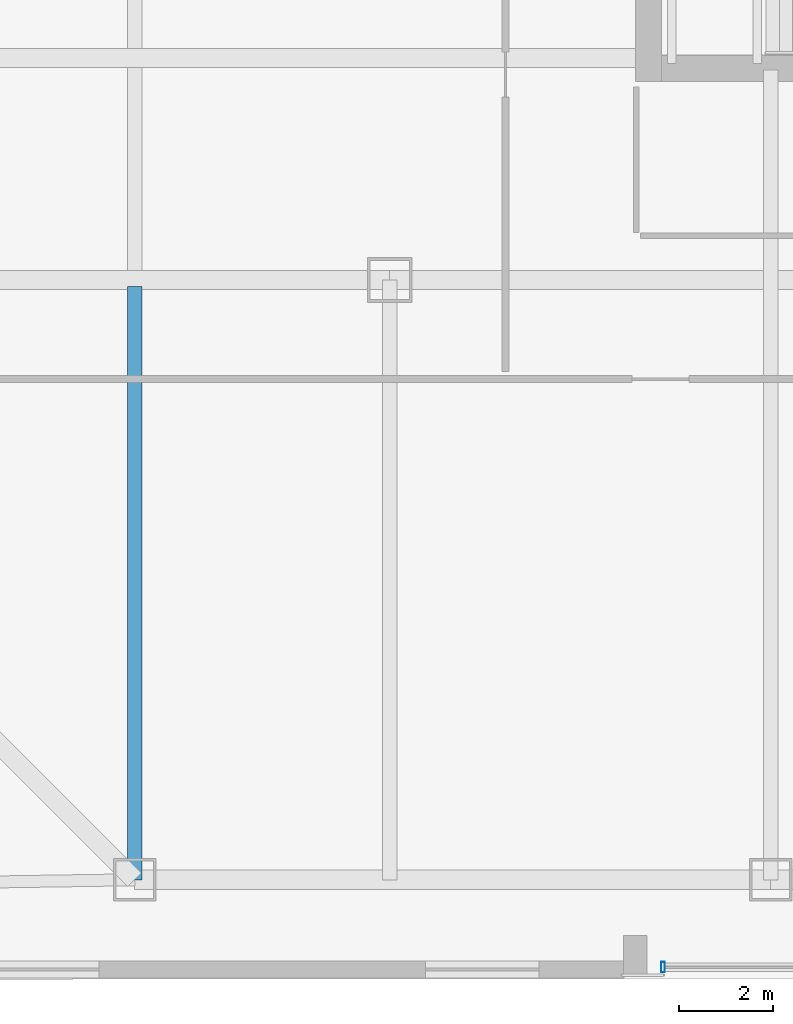
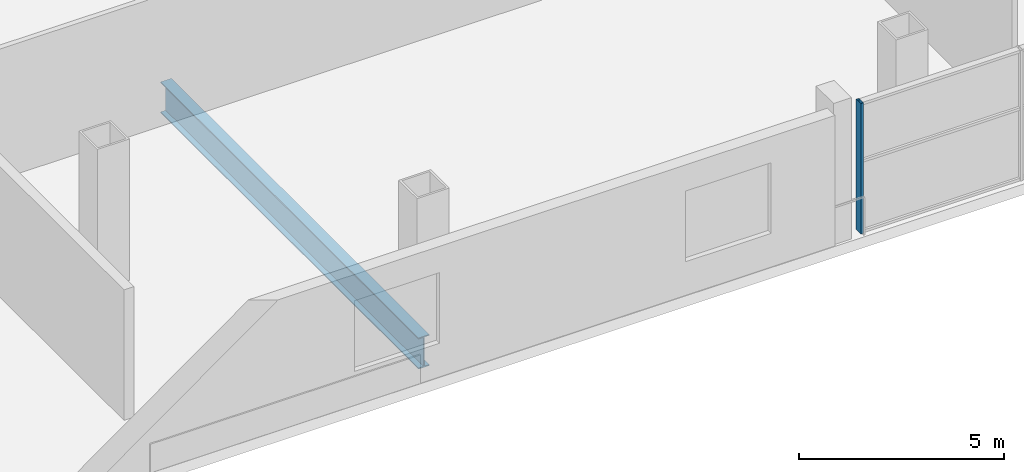
# One storey, part 2 of 21: 1 beam, 1 member, 1 element without a shape of its own.
"""IFC4 building model written with IfcOpenShell, lengths in metres."""

from ifc_helpers import new_model, si_unit, direction, frame, origin, origin_2d, place, context, subcontext, project, spatial, hollow_rectangle, i_section, extrude, material, layer, layer_set, material_profile, profile_set, type_object, element, aggregate, save


model = new_model("IFC4")

# Units and contexts
model_context = context("Model", 3, precision=1e-05, world=origin(), true_north=direction((0.0, 1.0)))
body_context = subcontext(model_context, "Body", "Model", "MODEL_VIEW")
ifc_project = project(units=[si_unit("LENGTHUNIT", "METRE"), si_unit("AREAUNIT", "SQUARE_METRE"), si_unit("VOLUMEUNIT", "CUBIC_METRE"), si_unit("PLANEANGLEUNIT", "RADIAN"), si_unit("MASSUNIT", "GRAM", prefix="KILO")], contexts=[model_context])

# Site, building, storey
site_placement = place(None, origin())
site = spatial("IfcSite", under=ifc_project, at=site_placement, CompositionType="ELEMENT")
building_placement = place(site_placement, origin())
building = spatial("IfcBuilding", under=site, at=building_placement, Name="Qhalaya Broadcast Tower", CompositionType="ELEMENT")
storey_placement = place(building_placement, frame((0.0, 0.0, 5.10009765625)))
storey = spatial("IfcBuildingStorey", under=building, at=storey_placement, Name="L01", CompositionType="ELEMENT", Elevation=5.10009765625)

# Beam
ifc_material_1 = material(Name="Structural Steel ASTM A992 Grade 50", Category="steel")
ifc_material_profile_1 = material_profile(ifc_material_1, i_section(OverallWidth=0.306884765625, OverallDepth=0.927001953125, WebThickness=0.019287109375, FlangeThickness=0.031982421875, at=origin_2d()), Name="W36X194")
ifc_profile_set_1 = profile_set([ifc_material_profile_1], Name="Structural Steel ASTM A992 Grade 50")
beam_type = type_object("IfcBeamType", Name="Heavy Studio Floor Beam B01", PredefinedType="BEAM", material=ifc_profile_set_1)
beam_placement = place(storey_placement, frame((-20.199951171875, -25.89990234375, -0.78369140625), z_axis=(0.0, 1.0, 0.0), x_axis=(-1.0, 0.0, 0.0)))
element("IfcBeam", 1, at=beam_placement, inside=storey, type_object=beam_type, Name="L01 B01 L01-JS-S-20.2", PredefinedType="BEAM", context=body_context, shape_type="SweptSolid", body=[
    extrude(i_section(OverallWidth=0.306884765625, OverallDepth=0.927001953125, WebThickness=0.019287109375, FlangeThickness=0.031982421875, at=origin_2d()), origin(), (0.0, 0.0, 1.0), 12.559814453125),
])

# Curtain wall, member
ifc_material_2 = material(Name="Solar-Control Low-E Triple Glazing", Category="glass")
ifc_layer = layer(ifc_material_2, 0.219970703125, Name="Solar-Control Low-E Triple Glazing")
ifc_layer_set = layer_set([ifc_layer], Name="Solar-Control Low-E Triple Glazing")
curtain_wall_type = type_object("IfcCurtainWallType", Name="Podium Concourse Triple-Height Glazed Portal CW-01", PredefinedType="NOTDEFINED", material=ifc_layer_set)
curtain_wall_placement = place(storey_placement, origin())
curtain_wall = element("IfcCurtainWall", 2, at=curtain_wall_placement, inside=storey, type_object=curtain_wall_type, Name="L01 Unitised Curtain Wall L01-CW01-S", PredefinedType="NOTDEFINED")
ifc_material_3 = material(Name="Anodised Aluminium 6063-T6", Category="aluminium")
ifc_material_profile_2 = material_profile(ifc_material_3, hollow_rectangle(XDim=0.074951171875, YDim=0.219970703125, WallThickness=0.00390625, at=origin_2d()), Name="ALU-MUL 75x220x4")
ifc_profile_set_2 = profile_set([ifc_material_profile_2], Name="Anodised Aluminium 6063-T6")
member_type = type_object("IfcMemberType", Name="Unitised Curtain-Wall Mullion M01", PredefinedType="MULLION", material=ifc_profile_set_2)
member_placement = place(storey_placement, frame((-9.012451171875, -27.75, 0.0), z_axis=(0.0, 0.0, 1.0), x_axis=(1.0, 0.0, 0.0)))
member = element("IfcMember", 3, at=member_placement, type_object=member_type, Name="CW-01 mullion 1", PredefinedType="MULLION", context=body_context, shape_type="SweptSolid", body=[
    extrude(hollow_rectangle(XDim=0.074951171875, YDim=0.219970703125, WallThickness=0.00390625, at=origin_2d()), origin(), (0.0, 0.0, 1.0), 3.8798828125),
])
aggregate(curtain_wall, [member])

save(model, "model.ifc")
